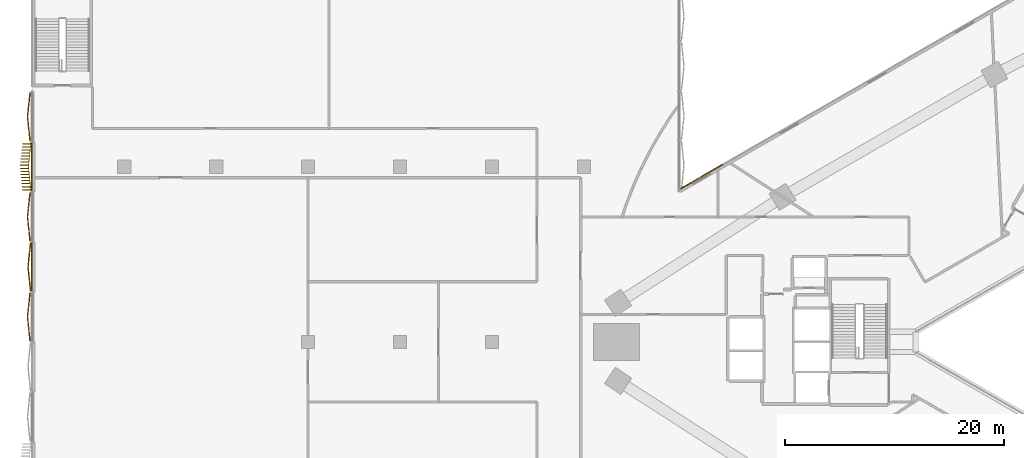
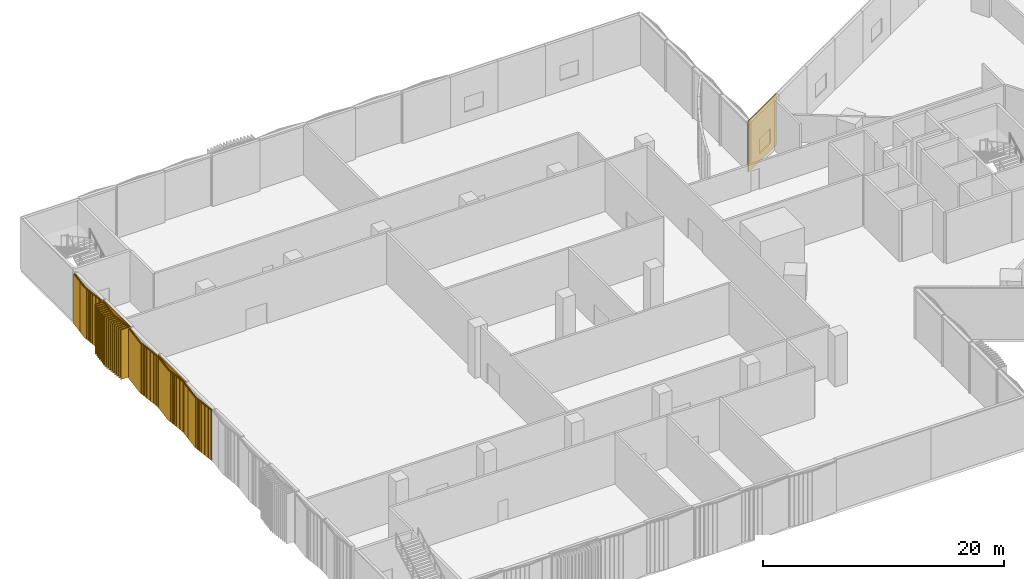
# One storey, part 25 of 31: 8 coverings.
"""IFC4 building model written with IfcOpenShell, lengths in metres."""

from ifc_helpers import new_model, si_unit, direction, frame, frame_2d, origin, origin_2d, place, context, subcontext, project, spatial, rectangle, extrude, source, transform, mapped, material, layer, layer_set, type_object, element, save


model = new_model("IFC4")

# Units and contexts
model_context = context("Model", 3, precision=1e-05, world=origin(), true_north=direction((0.0, 1.0)))
body_context = subcontext(model_context, "Body", "Model", "MODEL_VIEW")
ifc_project = project(units=[si_unit("LENGTHUNIT", "METRE"), si_unit("AREAUNIT", "SQUARE_METRE"), si_unit("VOLUMEUNIT", "CUBIC_METRE"), si_unit("PLANEANGLEUNIT", "RADIAN"), si_unit("MASSUNIT", "GRAM", prefix="KILO")], contexts=[model_context])

# Site, building, storey
site_placement = place(None, origin())
site = spatial("IfcSite", under=ifc_project, at=site_placement, CompositionType="ELEMENT")
building_placement = place(site_placement, origin())
building = spatial("IfcBuilding", under=site, at=building_placement, Name="Tamra Quay Hotel Tower", CompositionType="ELEMENT")
storey_placement = place(building_placement, frame((0.0, 0.0, 14.0)))
storey = spatial("IfcBuildingStorey", under=building, at=storey_placement, Name="L02", CompositionType="ELEMENT", Elevation=14.0)

# Coverings
ifc_material_1 = material(Name="Precast concrete M60 terracotta-coloured pierced relief", Category="masonry")
ifc_layer = layer(ifc_material_1, 0.10009765625)
ifc_layer_set = layer_set([ifc_layer], Name="PIERCED RELIEF PANEL 100")
covering_type_1 = type_object("IfcCoveringType", Name="PIERCED RELIEF PANEL 100", PredefinedType="CLADDING", material=ifc_layer_set)
covering_1_placement = place(storey_placement, frame((-28.024169921875, 15.053955078125, 0.0), z_axis=(0.0, 0.0, 1.0), x_axis=(-0.866214936261, -0.499671576337, 0.0)))
element("IfcCovering", 1, at=covering_1_placement, inside=storey, type_object=covering_type_1, Name="Relief panel L02.NW.10", PredefinedType="CLADDING", context=body_context, shape_type="SweptSolid", body=[
    extrude(rectangle(XDim=4.599853515625, YDim=0.10009765625, at=origin_2d()), origin(), (0.0, 0.0, 1.0), 5.14990234375),
])
for number, where, z_axis, x_axis, name in (
    (2, (-89.14990234375, 16.0, 0.0), (0.0, 0.0, 1.0), (0.0, -1.0, 0.0), "Relief panel L02.W.01"),
    (3, (-89.14990234375, 6.857177734375, 0.0), (0.0, 0.0, 1.0), (0.0, -1.0, 0.0), "Relief panel L02.W.03"),
):
    element("IfcCovering", number, at=place(storey_placement, frame(where, z_axis=z_axis, x_axis=x_axis)), inside=storey, type_object=covering_type_1, Name=name, PredefinedType="CLADDING", context=body_context, shape_type="SweptSolid", body=[
        extrude(rectangle(XDim=4.551513671875, YDim=0.10009765625, at=origin_2d()), origin(), (0.0, 0.0, 1.0), 5.14990234375),
    ])
ifc_material_2 = material(Name="Terracotta baguette extruded", Category="masonry")
covering_type_2 = type_object("IfcCoveringType", Name="BAGUETTE SCREEN PODIUM-SHALLOW H5150", PredefinedType="USERDEFINED", material=ifc_material_2)
shared_shape_1 = source(origin(), body_context, "Body", "SweptSolid", [
    extrude(rectangle(XDim=2.2548828125, YDim=0.06005859375, at=frame_2d((1.12744140625, 0.030029296875))), frame((-2.248779296875, -0.0576171875, -0.1201171875), z_axis=(0.0, 0.0, 1.0), x_axis=(0.994521895368, -0.104528463268, 0.0)), (0.0, 0.0, 1.0), 0.1201171875),
    extrude(rectangle(XDim=2.2548828125, YDim=0.06005859375, at=frame_2d((1.12744140625, 0.030029296875))), frame((-2.248779296875, -0.0576171875, -5.14990234375), z_axis=(0.0, 0.0, 1.0), x_axis=(0.994521895368, -0.104528463268, 0.0)), (0.0, 0.0, 1.0), 0.1201171875),
    extrude(rectangle(XDim=0.094970703125, YDim=0.10009765625, at=frame_2d((0.04736328125, 0.050048828125))), frame((-2.2412109375, -0.133056640625, -5.090087890625)), (0.0, 0.0, 1.0), 5.030029296875),
    extrude(rectangle(XDim=0.094970703125, YDim=0.10009765625, at=frame_2d((0.04736328125, 0.050048828125))), frame((-2.143798828125, -0.143310546875, -5.090087890625)), (0.0, 0.0, 1.0), 5.030029296875),
    extrude(rectangle(XDim=0.094970703125, YDim=0.10009765625, at=frame_2d((0.04736328125, 0.050048828125))), frame((-2.046142578125, -0.153564453125, -5.090087890625)), (0.0, 0.0, 1.0), 5.030029296875),
    extrude(rectangle(XDim=0.094970703125, YDim=0.10009765625, at=frame_2d((0.04736328125, 0.050048828125))), frame((-1.94873046875, -0.163818359375, -5.090087890625)), (0.0, 0.0, 1.0), 5.030029296875),
    extrude(rectangle(XDim=0.094970703125, YDim=0.10009765625, at=frame_2d((0.04736328125, 0.050048828125))), frame((-1.851318359375, -0.174072265625, -5.090087890625)), (0.0, 0.0, 1.0), 5.030029296875),
    extrude(rectangle(XDim=0.094970703125, YDim=0.10009765625, at=frame_2d((0.04736328125, 0.050048828125))), frame((-1.753662109375, -0.184326171875, -5.090087890625)), (0.0, 0.0, 1.0), 5.030029296875),
    extrude(rectangle(XDim=0.094970703125, YDim=0.10009765625, at=frame_2d((0.04736328125, 0.050048828125))), frame((-1.65625, -0.194580078125, -5.090087890625)), (0.0, 0.0, 1.0), 5.030029296875),
    extrude(rectangle(XDim=0.094970703125, YDim=0.10009765625, at=frame_2d((0.04736328125, 0.050048828125))), frame((-1.558837890625, -0.204833984375, -5.090087890625)), (0.0, 0.0, 1.0), 5.030029296875),
    extrude(rectangle(XDim=0.094970703125, YDim=0.10009765625, at=frame_2d((0.04736328125, 0.050048828125))), frame((-1.461181640625, -0.215087890625, -5.090087890625)), (0.0, 0.0, 1.0), 5.030029296875),
    extrude(rectangle(XDim=0.094970703125, YDim=0.10009765625, at=frame_2d((0.04736328125, 0.050048828125))), frame((-1.36376953125, -0.225341796875, -5.090087890625)), (0.0, 0.0, 1.0), 5.030029296875),
    extrude(rectangle(XDim=0.094970703125, YDim=0.10009765625, at=frame_2d((0.04736328125, 0.050048828125))), frame((-1.266357421875, -0.235595703125, -5.090087890625)), (0.0, 0.0, 1.0), 5.030029296875),
    extrude(rectangle(XDim=0.094970703125, YDim=0.10009765625, at=frame_2d((0.04736328125, 0.050048828125))), frame((-1.168701171875, -0.245849609375, -5.090087890625)), (0.0, 0.0, 1.0), 5.030029296875),
    extrude(rectangle(XDim=0.094970703125, YDim=0.10009765625, at=frame_2d((0.04736328125, 0.050048828125))), frame((-1.0712890625, -0.256103515625, -5.090087890625)), (0.0, 0.0, 1.0), 5.030029296875),
    extrude(rectangle(XDim=0.094970703125, YDim=0.10009765625, at=frame_2d((0.04736328125, 0.050048828125))), frame((-0.9736328125, -0.266357421875, -5.090087890625)), (0.0, 0.0, 1.0), 5.030029296875),
    extrude(rectangle(XDim=0.094970703125, YDim=0.10009765625, at=frame_2d((0.04736328125, 0.050048828125))), frame((-0.876220703125, -0.276611328125, -5.090087890625)), (0.0, 0.0, 1.0), 5.030029296875),
    extrude(rectangle(XDim=0.094970703125, YDim=0.10009765625, at=frame_2d((0.04736328125, 0.050048828125))), frame((-0.77880859375, -0.286865234375, -5.090087890625)), (0.0, 0.0, 1.0), 5.030029296875),
    extrude(rectangle(XDim=0.094970703125, YDim=0.10009765625, at=frame_2d((0.04736328125, 0.050048828125))), frame((-0.68115234375, -0.297119140625, -5.090087890625)), (0.0, 0.0, 1.0), 5.030029296875),
    extrude(rectangle(XDim=0.094970703125, YDim=0.10009765625, at=frame_2d((0.04736328125, 0.050048828125))), frame((-0.583740234375, -0.307373046875, -5.090087890625)), (0.0, 0.0, 1.0), 5.030029296875),
    extrude(rectangle(XDim=0.094970703125, YDim=0.10009765625, at=frame_2d((0.04736328125, 0.050048828125))), frame((-0.486328125, -0.317626953125, -5.090087890625)), (0.0, 0.0, 1.0), 5.030029296875),
    extrude(rectangle(XDim=0.094970703125, YDim=0.10009765625, at=frame_2d((0.04736328125, 0.050048828125))), frame((-0.388671875, -0.327880859375, -5.090087890625)), (0.0, 0.0, 1.0), 5.030029296875),
    extrude(rectangle(XDim=0.094970703125, YDim=0.10009765625, at=frame_2d((0.04736328125, 0.050048828125))), frame((-0.291259765625, -0.338134765625, -5.090087890625)), (0.0, 0.0, 1.0), 5.030029296875),
    extrude(rectangle(XDim=0.094970703125, YDim=0.10009765625, at=frame_2d((0.04736328125, 0.050048828125))), frame((-0.19384765625, -0.348388671875, -5.090087890625)), (0.0, 0.0, 1.0), 5.030029296875),
    extrude(rectangle(XDim=0.094970703125, YDim=0.10009765625, at=frame_2d((0.04736328125, 0.050048828125))), frame((-0.09619140625, -0.358642578125, -5.090087890625)), (0.0, 0.0, 1.0), 5.030029296875),
    extrude(rectangle(XDim=2.2548828125, YDim=0.06005859375, at=frame_2d((1.12744140625, 0.030029296875))), frame((0.00634765625, -0.29345703125, -0.1201171875), z_axis=(0.0, 0.0, 1.0), x_axis=(0.994521895368, 0.104528463268, 0.0)), (0.0, 0.0, 1.0), 0.1201171875),
    extrude(rectangle(XDim=2.2548828125, YDim=0.06005859375, at=frame_2d((1.12744140625, 0.030029296875))), frame((0.00634765625, -0.29345703125, -5.14990234375), z_axis=(0.0, 0.0, 1.0), x_axis=(0.994521895368, 0.104528463268, 0.0)), (0.0, 0.0, 1.0), 0.1201171875),
    extrude(rectangle(XDim=0.094970703125, YDim=0.10009765625, at=frame_2d((0.04736328125, 0.050048828125))), frame((0.001220703125, -0.358642578125, -5.090087890625)), (0.0, 0.0, 1.0), 5.030029296875),
    extrude(rectangle(XDim=0.094970703125, YDim=0.10009765625, at=frame_2d((0.04736328125, 0.050048828125))), frame((0.0986328125, -0.348388671875, -5.090087890625)), (0.0, 0.0, 1.0), 5.030029296875),
    extrude(rectangle(XDim=0.094970703125, YDim=0.10009765625, at=frame_2d((0.04736328125, 0.050048828125))), frame((0.1962890625, -0.338134765625, -5.090087890625)), (0.0, 0.0, 1.0), 5.030029296875),
    extrude(rectangle(XDim=0.094970703125, YDim=0.10009765625, at=frame_2d((0.04736328125, 0.050048828125))), frame((0.293701171875, -0.327880859375, -5.090087890625)), (0.0, 0.0, 1.0), 5.030029296875),
    extrude(rectangle(XDim=0.094970703125, YDim=0.10009765625, at=frame_2d((0.04736328125, 0.050048828125))), frame((0.391357421875, -0.317626953125, -5.090087890625)), (0.0, 0.0, 1.0), 5.030029296875),
    extrude(rectangle(XDim=0.094970703125, YDim=0.10009765625, at=frame_2d((0.04736328125, 0.050048828125))), frame((0.48876953125, -0.307373046875, -5.090087890625)), (0.0, 0.0, 1.0), 5.030029296875),
    extrude(rectangle(XDim=0.094970703125, YDim=0.10009765625, at=frame_2d((0.04736328125, 0.050048828125))), frame((0.586181640625, -0.297119140625, -5.090087890625)), (0.0, 0.0, 1.0), 5.030029296875),
    extrude(rectangle(XDim=0.094970703125, YDim=0.10009765625, at=frame_2d((0.04736328125, 0.050048828125))), frame((0.683837890625, -0.286865234375, -5.090087890625)), (0.0, 0.0, 1.0), 5.030029296875),
    extrude(rectangle(XDim=0.094970703125, YDim=0.10009765625, at=frame_2d((0.04736328125, 0.050048828125))), frame((0.78125, -0.276611328125, -5.090087890625)), (0.0, 0.0, 1.0), 5.030029296875),
    extrude(rectangle(XDim=0.094970703125, YDim=0.10009765625, at=frame_2d((0.04736328125, 0.050048828125))), frame((0.878662109375, -0.266357421875, -5.090087890625)), (0.0, 0.0, 1.0), 5.030029296875),
    extrude(rectangle(XDim=0.094970703125, YDim=0.10009765625, at=frame_2d((0.04736328125, 0.050048828125))), frame((0.976318359375, -0.256103515625, -5.090087890625)), (0.0, 0.0, 1.0), 5.030029296875),
    extrude(rectangle(XDim=0.094970703125, YDim=0.10009765625, at=frame_2d((0.04736328125, 0.050048828125))), frame((1.07373046875, -0.245849609375, -5.090087890625)), (0.0, 0.0, 1.0), 5.030029296875),
    extrude(rectangle(XDim=0.094970703125, YDim=0.10009765625, at=frame_2d((0.04736328125, 0.050048828125))), frame((1.171142578125, -0.235595703125, -5.090087890625)), (0.0, 0.0, 1.0), 5.030029296875),
    extrude(rectangle(XDim=0.094970703125, YDim=0.10009765625, at=frame_2d((0.04736328125, 0.050048828125))), frame((1.268798828125, -0.225341796875, -5.090087890625)), (0.0, 0.0, 1.0), 5.030029296875),
    extrude(rectangle(XDim=0.094970703125, YDim=0.10009765625, at=frame_2d((0.04736328125, 0.050048828125))), frame((1.3662109375, -0.215087890625, -5.090087890625)), (0.0, 0.0, 1.0), 5.030029296875),
    extrude(rectangle(XDim=0.094970703125, YDim=0.10009765625, at=frame_2d((0.04736328125, 0.050048828125))), frame((1.4638671875, -0.204833984375, -5.090087890625)), (0.0, 0.0, 1.0), 5.030029296875),
    extrude(rectangle(XDim=0.094970703125, YDim=0.10009765625, at=frame_2d((0.04736328125, 0.050048828125))), frame((1.561279296875, -0.194580078125, -5.090087890625)), (0.0, 0.0, 1.0), 5.030029296875),
    extrude(rectangle(XDim=0.094970703125, YDim=0.10009765625, at=frame_2d((0.04736328125, 0.050048828125))), frame((1.65869140625, -0.184326171875, -5.090087890625)), (0.0, 0.0, 1.0), 5.030029296875),
    extrude(rectangle(XDim=0.094970703125, YDim=0.10009765625, at=frame_2d((0.04736328125, 0.050048828125))), frame((1.75634765625, -0.174072265625, -5.090087890625)), (0.0, 0.0, 1.0), 5.030029296875),
    extrude(rectangle(XDim=0.094970703125, YDim=0.10009765625, at=frame_2d((0.04736328125, 0.050048828125))), frame((1.853759765625, -0.163818359375, -5.090087890625)), (0.0, 0.0, 1.0), 5.030029296875),
    extrude(rectangle(XDim=0.094970703125, YDim=0.10009765625, at=frame_2d((0.04736328125, 0.050048828125))), frame((1.951171875, -0.153564453125, -5.090087890625)), (0.0, 0.0, 1.0), 5.030029296875),
    extrude(rectangle(XDim=0.094970703125, YDim=0.10009765625, at=frame_2d((0.04736328125, 0.050048828125))), frame((2.048828125, -0.143310546875, -5.090087890625)), (0.0, 0.0, 1.0), 5.030029296875),
    extrude(rectangle(XDim=0.094970703125, YDim=0.10009765625, at=frame_2d((0.04736328125, 0.050048828125))), frame((2.146240234375, -0.133056640625, -5.090087890625)), (0.0, 0.0, 1.0), 5.030029296875),
])
for number, where, z_axis, x_axis, name in (
    (4, (-89.248046875, 20.571533203125, 5.14990234375), (0.0, 0.0, 1.0), (0.0, -1.0, 0.0), "Baguette screen L02.W.f00"),
    (5, (-89.248046875, 11.428466796875, 5.14990234375), (0.0, 0.0, 1.0), (0.0, -1.0, 0.0), "Baguette screen L02.W.f01"),
    (6, (-89.248046875, 2.28564453125, 5.14990234375), (0.0, 0.0, 1.0), (0.0, -1.0, 0.0), "Baguette screen L02.W.f02"),
):
    element("IfcCovering", number, at=place(storey_placement, frame(where, z_axis=z_axis, x_axis=x_axis)), inside=storey, type_object=covering_type_2, Name=name, ObjectType="BAGUETTE SCREEN", PredefinedType="USERDEFINED", context=body_context, shape_type="MappedRepresentation", body=[
        mapped(shared_shape_1, transform((0.0, 0.0, 0.0), scale=1.0)),
    ])
covering_type_3 = type_object("IfcCoveringType", Name="BAGUETTE SCREEN SW-DEEP H5150", PredefinedType="USERDEFINED", material=ifc_material_2)
shared_shape_2 = source(origin(), body_context, "Body", "SweptSolid", [
    extrude(rectangle(XDim=2.2548828125, YDim=0.06005859375, at=frame_2d((1.12744140625, 0.030029296875))), frame((-2.248779296875, -0.0576171875, -0.1201171875), z_axis=(0.0, 0.0, 1.0), x_axis=(0.994521895368, -0.104528463268, 0.0)), (0.0, 0.0, 1.0), 0.1201171875),
    extrude(rectangle(XDim=2.2548828125, YDim=0.06005859375, at=frame_2d((1.12744140625, 0.030029296875))), frame((-2.248779296875, -0.0576171875, -5.14990234375), z_axis=(0.0, 0.0, 1.0), x_axis=(0.994521895368, -0.104528463268, 0.0)), (0.0, 0.0, 1.0), 0.1201171875),
    extrude(rectangle(XDim=0.10009765625, YDim=0.780029296875, at=frame_2d((0.050048828125, 0.39013671875))), frame((-2.15234375, -0.82275390625, -5.090087890625)), (0.0, 0.0, 1.0), 5.030029296875),
    extrude(rectangle(XDim=0.10009765625, YDim=0.780029296875, at=frame_2d((0.050048828125, 0.39013671875))), frame((-1.8720703125, -0.852294921875, -5.090087890625)), (0.0, 0.0, 1.0), 5.030029296875),
    extrude(rectangle(XDim=0.10009765625, YDim=0.780029296875, at=frame_2d((0.050048828125, 0.39013671875))), frame((-1.591796875, -0.881591796875, -5.090087890625)), (0.0, 0.0, 1.0), 5.030029296875),
    extrude(rectangle(XDim=0.10009765625, YDim=0.780029296875, at=frame_2d((0.050048828125, 0.39013671875))), frame((-1.3115234375, -0.9111328125, -5.090087890625)), (0.0, 0.0, 1.0), 5.030029296875),
    extrude(rectangle(XDim=0.10009765625, YDim=0.780029296875, at=frame_2d((0.050048828125, 0.39013671875))), frame((-1.031005859375, -0.940673828125, -5.090087890625)), (0.0, 0.0, 1.0), 5.030029296875),
    extrude(rectangle(XDim=0.10009765625, YDim=0.780029296875, at=frame_2d((0.050048828125, 0.39013671875))), frame((-0.750732421875, -0.969970703125, -5.090087890625)), (0.0, 0.0, 1.0), 5.030029296875),
    extrude(rectangle(XDim=0.10009765625, YDim=0.780029296875, at=frame_2d((0.050048828125, 0.39013671875))), frame((-0.470458984375, -0.99951171875, -5.090087890625)), (0.0, 0.0, 1.0), 5.030029296875),
    extrude(rectangle(XDim=0.10009765625, YDim=0.780029296875, at=frame_2d((0.050048828125, 0.39013671875))), frame((-0.190185546875, -1.029052734375, -5.090087890625)), (0.0, 0.0, 1.0), 5.030029296875),
    extrude(rectangle(XDim=2.2548828125, YDim=0.06005859375, at=frame_2d((1.12744140625, 0.030029296875))), frame((0.00634765625, -0.29345703125, -0.1201171875), z_axis=(0.0, 0.0, 1.0), x_axis=(0.994521895368, 0.104528463268, 0.0)), (0.0, 0.0, 1.0), 0.1201171875),
    extrude(rectangle(XDim=2.2548828125, YDim=0.06005859375, at=frame_2d((1.12744140625, 0.030029296875))), frame((0.00634765625, -0.29345703125, -5.14990234375), z_axis=(0.0, 0.0, 1.0), x_axis=(0.994521895368, 0.104528463268, 0.0)), (0.0, 0.0, 1.0), 0.1201171875),
    extrude(rectangle(XDim=0.10009765625, YDim=0.780029296875, at=frame_2d((0.050048828125, 0.39013671875))), frame((0.090087890625, -1.029052734375, -5.090087890625)), (0.0, 0.0, 1.0), 5.030029296875),
    extrude(rectangle(XDim=0.10009765625, YDim=0.780029296875, at=frame_2d((0.050048828125, 0.39013671875))), frame((0.370361328125, -0.99951171875, -5.090087890625)), (0.0, 0.0, 1.0), 5.030029296875),
    extrude(rectangle(XDim=0.10009765625, YDim=0.780029296875, at=frame_2d((0.050048828125, 0.39013671875))), frame((0.65087890625, -0.969970703125, -5.090087890625)), (0.0, 0.0, 1.0), 5.030029296875),
    extrude(rectangle(XDim=0.10009765625, YDim=0.780029296875, at=frame_2d((0.050048828125, 0.39013671875))), frame((0.93115234375, -0.940673828125, -5.090087890625)), (0.0, 0.0, 1.0), 5.030029296875),
    extrude(rectangle(XDim=0.10009765625, YDim=0.780029296875, at=frame_2d((0.050048828125, 0.39013671875))), frame((1.21142578125, -0.9111328125, -5.090087890625)), (0.0, 0.0, 1.0), 5.030029296875),
    extrude(rectangle(XDim=0.10009765625, YDim=0.780029296875, at=frame_2d((0.050048828125, 0.39013671875))), frame((1.49169921875, -0.881591796875, -5.090087890625)), (0.0, 0.0, 1.0), 5.030029296875),
    extrude(rectangle(XDim=0.10009765625, YDim=0.780029296875, at=frame_2d((0.050048828125, 0.39013671875))), frame((1.77197265625, -0.852294921875, -5.090087890625)), (0.0, 0.0, 1.0), 5.030029296875),
    extrude(rectangle(XDim=0.10009765625, YDim=0.780029296875, at=frame_2d((0.050048828125, 0.39013671875))), frame((2.05224609375, -0.82275390625, -5.090087890625)), (0.0, 0.0, 1.0), 5.030029296875),
])
covering_2_placement = place(storey_placement, frame((-89.199951171875, 16.0, 5.14990234375), z_axis=(0.0, 0.0, 1.0), x_axis=(0.0, -1.0, 0.0)))
element("IfcCovering", 7, at=covering_2_placement, inside=storey, type_object=covering_type_3, Name="Baguette screen wing.L02.W.01", ObjectType="BAGUETTE SCREEN", PredefinedType="USERDEFINED", context=body_context, shape_type="MappedRepresentation", body=[
    mapped(shared_shape_2, transform((0.0, 0.0, 0.0), scale=1.0)),
])
covering_type_4 = type_object("IfcCoveringType", Name="BAGUETTE SCREEN SW-SHALLOW H5150", PredefinedType="USERDEFINED", material=ifc_material_2)
shared_shape_3 = source(origin(), body_context, "Body", "SweptSolid", [
    extrude(rectangle(XDim=2.2548828125, YDim=0.06005859375, at=frame_2d((1.12744140625, 0.030029296875))), frame((-2.248779296875, -0.0576171875, -0.1201171875), z_axis=(0.0, 0.0, 1.0), x_axis=(0.994521895368, -0.104528463268, 0.0)), (0.0, 0.0, 1.0), 0.1201171875),
    extrude(rectangle(XDim=2.2548828125, YDim=0.06005859375, at=frame_2d((1.12744140625, 0.030029296875))), frame((-2.248779296875, -0.0576171875, -5.14990234375), z_axis=(0.0, 0.0, 1.0), x_axis=(0.994521895368, -0.104528463268, 0.0)), (0.0, 0.0, 1.0), 0.1201171875),
    extrude(rectangle(XDim=0.094970703125, YDim=0.10009765625, at=frame_2d((0.04736328125, 0.050048828125))), frame((-2.2412109375, -0.133056640625, -5.090087890625)), (0.0, 0.0, 1.0), 5.030029296875),
    extrude(rectangle(XDim=0.094970703125, YDim=0.10009765625, at=frame_2d((0.04736328125, 0.050048828125))), frame((-2.143798828125, -0.143310546875, -5.090087890625)), (0.0, 0.0, 1.0), 5.030029296875),
    extrude(rectangle(XDim=0.094970703125, YDim=0.10009765625, at=frame_2d((0.04736328125, 0.050048828125))), frame((-2.046142578125, -0.153564453125, -5.090087890625)), (0.0, 0.0, 1.0), 5.030029296875),
    extrude(rectangle(XDim=0.094970703125, YDim=0.10009765625, at=frame_2d((0.04736328125, 0.050048828125))), frame((-1.94873046875, -0.163818359375, -5.090087890625)), (0.0, 0.0, 1.0), 5.030029296875),
    extrude(rectangle(XDim=0.094970703125, YDim=0.10009765625, at=frame_2d((0.04736328125, 0.050048828125))), frame((-1.851318359375, -0.174072265625, -5.090087890625)), (0.0, 0.0, 1.0), 5.030029296875),
    extrude(rectangle(XDim=0.094970703125, YDim=0.10009765625, at=frame_2d((0.04736328125, 0.050048828125))), frame((-1.753662109375, -0.184326171875, -5.090087890625)), (0.0, 0.0, 1.0), 5.030029296875),
    extrude(rectangle(XDim=0.094970703125, YDim=0.10009765625, at=frame_2d((0.04736328125, 0.050048828125))), frame((-1.65625, -0.194580078125, -5.090087890625)), (0.0, 0.0, 1.0), 5.030029296875),
    extrude(rectangle(XDim=0.094970703125, YDim=0.10009765625, at=frame_2d((0.04736328125, 0.050048828125))), frame((-1.558837890625, -0.204833984375, -5.090087890625)), (0.0, 0.0, 1.0), 5.030029296875),
    extrude(rectangle(XDim=0.094970703125, YDim=0.10009765625, at=frame_2d((0.04736328125, 0.050048828125))), frame((-1.461181640625, -0.215087890625, -5.090087890625)), (0.0, 0.0, 1.0), 5.030029296875),
    extrude(rectangle(XDim=0.094970703125, YDim=0.10009765625, at=frame_2d((0.04736328125, 0.050048828125))), frame((-1.36376953125, -0.225341796875, -5.090087890625)), (0.0, 0.0, 1.0), 5.030029296875),
    extrude(rectangle(XDim=0.094970703125, YDim=0.10009765625, at=frame_2d((0.04736328125, 0.050048828125))), frame((-1.266357421875, -0.235595703125, -5.090087890625)), (0.0, 0.0, 1.0), 5.030029296875),
    extrude(rectangle(XDim=0.094970703125, YDim=0.10009765625, at=frame_2d((0.04736328125, 0.050048828125))), frame((-1.168701171875, -0.245849609375, -5.090087890625)), (0.0, 0.0, 1.0), 5.030029296875),
    extrude(rectangle(XDim=0.094970703125, YDim=0.10009765625, at=frame_2d((0.04736328125, 0.050048828125))), frame((-1.0712890625, -0.256103515625, -5.090087890625)), (0.0, 0.0, 1.0), 5.030029296875),
    extrude(rectangle(XDim=0.094970703125, YDim=0.10009765625, at=frame_2d((0.04736328125, 0.050048828125))), frame((-0.9736328125, -0.266357421875, -5.090087890625)), (0.0, 0.0, 1.0), 5.030029296875),
    extrude(rectangle(XDim=0.094970703125, YDim=0.10009765625, at=frame_2d((0.04736328125, 0.050048828125))), frame((-0.876220703125, -0.276611328125, -5.090087890625)), (0.0, 0.0, 1.0), 5.030029296875),
    extrude(rectangle(XDim=0.094970703125, YDim=0.10009765625, at=frame_2d((0.04736328125, 0.050048828125))), frame((-0.77880859375, -0.286865234375, -5.090087890625)), (0.0, 0.0, 1.0), 5.030029296875),
    extrude(rectangle(XDim=0.094970703125, YDim=0.10009765625, at=frame_2d((0.04736328125, 0.050048828125))), frame((-0.68115234375, -0.297119140625, -5.090087890625)), (0.0, 0.0, 1.0), 5.030029296875),
    extrude(rectangle(XDim=0.094970703125, YDim=0.10009765625, at=frame_2d((0.04736328125, 0.050048828125))), frame((-0.583740234375, -0.307373046875, -5.090087890625)), (0.0, 0.0, 1.0), 5.030029296875),
    extrude(rectangle(XDim=0.094970703125, YDim=0.10009765625, at=frame_2d((0.04736328125, 0.050048828125))), frame((-0.486328125, -0.317626953125, -5.090087890625)), (0.0, 0.0, 1.0), 5.030029296875),
    extrude(rectangle(XDim=0.094970703125, YDim=0.10009765625, at=frame_2d((0.04736328125, 0.050048828125))), frame((-0.388671875, -0.327880859375, -5.090087890625)), (0.0, 0.0, 1.0), 5.030029296875),
    extrude(rectangle(XDim=0.094970703125, YDim=0.10009765625, at=frame_2d((0.04736328125, 0.050048828125))), frame((-0.291259765625, -0.338134765625, -5.090087890625)), (0.0, 0.0, 1.0), 5.030029296875),
    extrude(rectangle(XDim=0.094970703125, YDim=0.10009765625, at=frame_2d((0.04736328125, 0.050048828125))), frame((-0.19384765625, -0.348388671875, -5.090087890625)), (0.0, 0.0, 1.0), 5.030029296875),
    extrude(rectangle(XDim=0.094970703125, YDim=0.10009765625, at=frame_2d((0.04736328125, 0.050048828125))), frame((-0.09619140625, -0.358642578125, -5.090087890625)), (0.0, 0.0, 1.0), 5.030029296875),
    extrude(rectangle(XDim=2.2548828125, YDim=0.06005859375, at=frame_2d((1.12744140625, 0.030029296875))), frame((0.00634765625, -0.29345703125, -0.1201171875), z_axis=(0.0, 0.0, 1.0), x_axis=(0.994521895368, 0.104528463268, 0.0)), (0.0, 0.0, 1.0), 0.1201171875),
    extrude(rectangle(XDim=2.2548828125, YDim=0.06005859375, at=frame_2d((1.12744140625, 0.030029296875))), frame((0.00634765625, -0.29345703125, -5.14990234375), z_axis=(0.0, 0.0, 1.0), x_axis=(0.994521895368, 0.104528463268, 0.0)), (0.0, 0.0, 1.0), 0.1201171875),
    extrude(rectangle(XDim=0.094970703125, YDim=0.10009765625, at=frame_2d((0.04736328125, 0.050048828125))), frame((0.001220703125, -0.358642578125, -5.090087890625)), (0.0, 0.0, 1.0), 5.030029296875),
    extrude(rectangle(XDim=0.094970703125, YDim=0.10009765625, at=frame_2d((0.04736328125, 0.050048828125))), frame((0.0986328125, -0.348388671875, -5.090087890625)), (0.0, 0.0, 1.0), 5.030029296875),
    extrude(rectangle(XDim=0.094970703125, YDim=0.10009765625, at=frame_2d((0.04736328125, 0.050048828125))), frame((0.1962890625, -0.338134765625, -5.090087890625)), (0.0, 0.0, 1.0), 5.030029296875),
    extrude(rectangle(XDim=0.094970703125, YDim=0.10009765625, at=frame_2d((0.04736328125, 0.050048828125))), frame((0.293701171875, -0.327880859375, -5.090087890625)), (0.0, 0.0, 1.0), 5.030029296875),
    extrude(rectangle(XDim=0.094970703125, YDim=0.10009765625, at=frame_2d((0.04736328125, 0.050048828125))), frame((0.391357421875, -0.317626953125, -5.090087890625)), (0.0, 0.0, 1.0), 5.030029296875),
    extrude(rectangle(XDim=0.094970703125, YDim=0.10009765625, at=frame_2d((0.04736328125, 0.050048828125))), frame((0.48876953125, -0.307373046875, -5.090087890625)), (0.0, 0.0, 1.0), 5.030029296875),
    extrude(rectangle(XDim=0.094970703125, YDim=0.10009765625, at=frame_2d((0.04736328125, 0.050048828125))), frame((0.586181640625, -0.297119140625, -5.090087890625)), (0.0, 0.0, 1.0), 5.030029296875),
    extrude(rectangle(XDim=0.094970703125, YDim=0.10009765625, at=frame_2d((0.04736328125, 0.050048828125))), frame((0.683837890625, -0.286865234375, -5.090087890625)), (0.0, 0.0, 1.0), 5.030029296875),
    extrude(rectangle(XDim=0.094970703125, YDim=0.10009765625, at=frame_2d((0.04736328125, 0.050048828125))), frame((0.78125, -0.276611328125, -5.090087890625)), (0.0, 0.0, 1.0), 5.030029296875),
    extrude(rectangle(XDim=0.094970703125, YDim=0.10009765625, at=frame_2d((0.04736328125, 0.050048828125))), frame((0.878662109375, -0.266357421875, -5.090087890625)), (0.0, 0.0, 1.0), 5.030029296875),
    extrude(rectangle(XDim=0.094970703125, YDim=0.10009765625, at=frame_2d((0.04736328125, 0.050048828125))), frame((0.976318359375, -0.256103515625, -5.090087890625)), (0.0, 0.0, 1.0), 5.030029296875),
    extrude(rectangle(XDim=0.094970703125, YDim=0.10009765625, at=frame_2d((0.04736328125, 0.050048828125))), frame((1.07373046875, -0.245849609375, -5.090087890625)), (0.0, 0.0, 1.0), 5.030029296875),
    extrude(rectangle(XDim=0.094970703125, YDim=0.10009765625, at=frame_2d((0.04736328125, 0.050048828125))), frame((1.171142578125, -0.235595703125, -5.090087890625)), (0.0, 0.0, 1.0), 5.030029296875),
    extrude(rectangle(XDim=0.094970703125, YDim=0.10009765625, at=frame_2d((0.04736328125, 0.050048828125))), frame((1.268798828125, -0.225341796875, -5.090087890625)), (0.0, 0.0, 1.0), 5.030029296875),
    extrude(rectangle(XDim=0.094970703125, YDim=0.10009765625, at=frame_2d((0.04736328125, 0.050048828125))), frame((1.3662109375, -0.215087890625, -5.090087890625)), (0.0, 0.0, 1.0), 5.030029296875),
    extrude(rectangle(XDim=0.094970703125, YDim=0.10009765625, at=frame_2d((0.04736328125, 0.050048828125))), frame((1.4638671875, -0.204833984375, -5.090087890625)), (0.0, 0.0, 1.0), 5.030029296875),
    extrude(rectangle(XDim=0.094970703125, YDim=0.10009765625, at=frame_2d((0.04736328125, 0.050048828125))), frame((1.561279296875, -0.194580078125, -5.090087890625)), (0.0, 0.0, 1.0), 5.030029296875),
    extrude(rectangle(XDim=0.094970703125, YDim=0.10009765625, at=frame_2d((0.04736328125, 0.050048828125))), frame((1.65869140625, -0.184326171875, -5.090087890625)), (0.0, 0.0, 1.0), 5.030029296875),
    extrude(rectangle(XDim=0.094970703125, YDim=0.10009765625, at=frame_2d((0.04736328125, 0.050048828125))), frame((1.75634765625, -0.174072265625, -5.090087890625)), (0.0, 0.0, 1.0), 5.030029296875),
    extrude(rectangle(XDim=0.094970703125, YDim=0.10009765625, at=frame_2d((0.04736328125, 0.050048828125))), frame((1.853759765625, -0.163818359375, -5.090087890625)), (0.0, 0.0, 1.0), 5.030029296875),
    extrude(rectangle(XDim=0.094970703125, YDim=0.10009765625, at=frame_2d((0.04736328125, 0.050048828125))), frame((1.951171875, -0.153564453125, -5.090087890625)), (0.0, 0.0, 1.0), 5.030029296875),
    extrude(rectangle(XDim=0.094970703125, YDim=0.10009765625, at=frame_2d((0.04736328125, 0.050048828125))), frame((2.048828125, -0.143310546875, -5.090087890625)), (0.0, 0.0, 1.0), 5.030029296875),
    extrude(rectangle(XDim=0.094970703125, YDim=0.10009765625, at=frame_2d((0.04736328125, 0.050048828125))), frame((2.146240234375, -0.133056640625, -5.090087890625)), (0.0, 0.0, 1.0), 5.030029296875),
])
covering_3_placement = place(storey_placement, frame((-89.199951171875, 6.857177734375, 5.14990234375), z_axis=(0.0, 0.0, 1.0), x_axis=(0.0, -1.0, 0.0)))
element("IfcCovering", 8, at=covering_3_placement, inside=storey, type_object=covering_type_4, Name="Baguette screen wing.L02.W.03", ObjectType="BAGUETTE SCREEN", PredefinedType="USERDEFINED", context=body_context, shape_type="MappedRepresentation", body=[
    mapped(shared_shape_3, transform((0.0, 0.0, 0.0), scale=1.0)),
])

save(model, "model.ifc")
